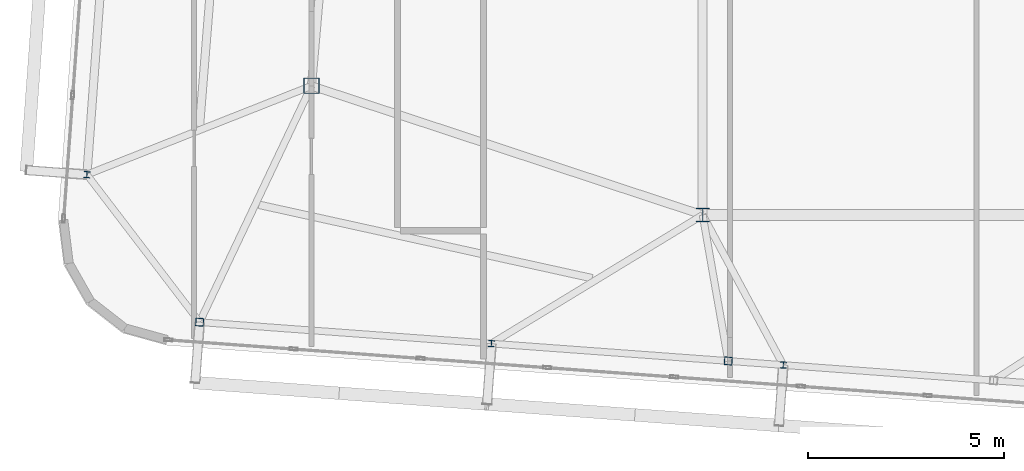
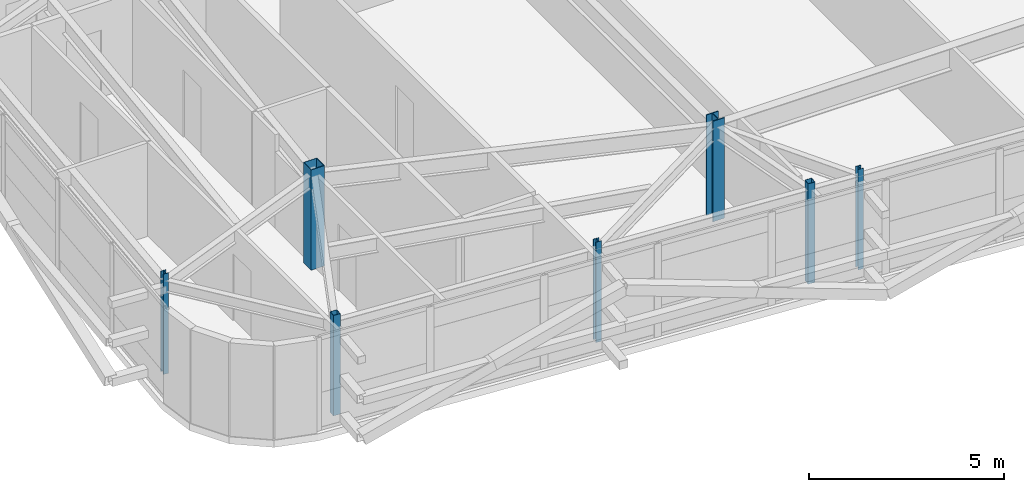
# One storey, part 1 of 42: 7 columns.
"""IFC4 building model written with IfcOpenShell, lengths in metres."""

from ifc_helpers import new_model, si_unit, direction, frame, origin, origin_2d, place, context, subcontext, project, spatial, hollow_rectangle, i_section, extrude, source, transform, mapped, material, material_profile, profile_set, type_object, element, save


model = new_model("IFC4")

# Units and contexts
model_context = context("Model", 3, precision=1e-05, world=origin(), true_north=direction((0.0, 1.0)))
body_context = subcontext(model_context, "Body", "Model", "MODEL_VIEW")
ifc_project = project(units=[si_unit("LENGTHUNIT", "METRE"), si_unit("AREAUNIT", "SQUARE_METRE"), si_unit("VOLUMEUNIT", "CUBIC_METRE"), si_unit("PLANEANGLEUNIT", "RADIAN"), si_unit("MASSUNIT", "GRAM", prefix="KILO")], contexts=[model_context])

# Site, building, storey
site_placement = place(None, origin())
site = spatial("IfcSite", under=ifc_project, at=site_placement, CompositionType="ELEMENT")
building_placement = place(site_placement, origin())
building = spatial("IfcBuilding", under=site, at=building_placement, Name="Taldren Reach Tower", CompositionType="ELEMENT")
storey_placement = place(building_placement, frame((0.0, 0.0, 224.0)))
storey = spatial("IfcBuildingStorey", under=building, at=storey_placement, Name="L68", CompositionType="ELEMENT", Elevation=224.0)

# Columns
ifc_material_1 = material(Name="Steel Gr 350 (350PLUS)", Category="steel")
ifc_material_profile_1 = material_profile(ifc_material_1, i_section(OverallWidth=0.35009765625, OverallDepth=0.35595703125, WebThickness=0.01806640625, FlangeThickness=0.028076171875, at=origin_2d()), Name="350WC197")
ifc_profile_set_1 = profile_set([ifc_material_profile_1], Name="Steel Gr 350 (350PLUS)")
column_type_1 = type_object("IfcColumnType", Name="COL-WC350", PredefinedType="COLUMN", material=ifc_profile_set_1)
shared_shape_1 = source(origin(), body_context, "Body", "SweptSolid", [
    extrude(i_section(OverallWidth=0.35009765625, OverallDepth=0.35595703125, WebThickness=0.01806640625, FlangeThickness=0.028076171875, at=origin_2d()), origin(), (0.0, 0.0, 1.0), 3.14990234375),
])
column_1_placement = place(storey_placement, frame((28.0, 9.199951171875, 0.0), z_axis=(0.0, 0.0, 1.0), x_axis=(1.0, 0.0, 0.0)))
element("IfcColumn", 1, at=column_1_placement, inside=storey, type_object=column_type_1, Name="Mega column MC-PJW L68", PredefinedType="COLUMN", context=body_context, shape_type="MappedRepresentation", body=[
    mapped(shared_shape_1, transform((0.0, 0.0, 0.0), scale=1.0)),
])
ifc_material_2 = material(Name="Steel Gr 450 (C450L0)", Category="steel")
ifc_material_profile_2 = material_profile(ifc_material_2, hollow_rectangle(XDim=0.39990234375, YDim=0.39990234375, WallThickness=0.01611328125, at=origin_2d()), Name="400x400x16.0SHS")
ifc_profile_set_2 = profile_set([ifc_material_profile_2], Name="Steel Gr 450 (C450L0)")
column_type_2 = type_object("IfcColumnType", Name="COL-SHS400", PredefinedType="COLUMN", material=ifc_profile_set_2)
shared_shape_2 = source(origin(), body_context, "Body", "SweptSolid", [
    extrude(hollow_rectangle(XDim=0.39990234375, YDim=0.39990234375, WallThickness=0.01611328125, at=origin_2d()), origin(), (0.0, 0.0, 1.0), 3.14990234375),
])
column_2_placement = place(storey_placement, frame((18.0, 12.5, 0.0), z_axis=(0.0, 0.0, 1.0), x_axis=(1.0, 0.0, 0.0)))
element("IfcColumn", 2, at=column_2_placement, inside=storey, type_object=column_type_2, Name="Mega column MC-SW L68", PredefinedType="COLUMN", context=body_context, shape_type="MappedRepresentation", body=[
    mapped(shared_shape_2, transform((0.0, 0.0, 0.0), scale=1.0)),
])
ifc_material_3 = material(Name="Steel Gr 350 (C350L0)", Category="steel")
ifc_material_profile_3 = material_profile(ifc_material_3, hollow_rectangle(XDim=0.199951171875, YDim=0.199951171875, WallThickness=0.009033203125, at=origin_2d()), Name="200x200x9.0SHS")
ifc_profile_set_3 = profile_set([ifc_material_profile_3], Name="Steel Gr 350 (C350L0)")
column_type_3 = type_object("IfcColumnType", Name="COL-SHS200", PredefinedType="COLUMN", material=ifc_profile_set_3)
shared_shape_3 = source(origin(), body_context, "Body", "SweptSolid", [
    extrude(hollow_rectangle(XDim=0.199951171875, YDim=0.199951171875, WallThickness=0.009033203125, at=origin_2d()), origin(), (0.0, 0.0, 1.0), 3.14990234375),
])
for number, where, z_axis, x_axis, name in (
    (3, (15.140625, 6.460205078125, 0.0), (0.0, 0.0, 1.0), (0.997314477224, -0.073238197128, 0.0), "Block B5 perimeter column S1 L68"),
    (4, (28.654296875, 5.4677734375, 0.0), (0.0, 0.0, 1.0), (0.997314477224, -0.073238197128, 0.0), "Block B5 perimeter column PJ1 L68"),
):
    element("IfcColumn", number, at=place(storey_placement, frame(where, z_axis=z_axis, x_axis=x_axis)), inside=storey, type_object=column_type_3, Name=name, PredefinedType="COLUMN", context=body_context, shape_type="MappedRepresentation", body=[
        mapped(shared_shape_3, transform((0.0, 0.0, 0.0), scale=1.0)),
    ])
ifc_material_profile_4 = material_profile(ifc_material_1, i_section(OverallWidth=0.154052734375, OverallDepth=0.162109375, WebThickness=0.008056640625, FlangeThickness=0.011474609375, at=origin_2d()), Name="150UC37.2")
ifc_profile_set_4 = profile_set([ifc_material_profile_4], Name="Steel Gr 350 (350PLUS)")
column_type_4 = type_object("IfcColumnType", Name="COL-UC150", PredefinedType="COLUMN", material=ifc_profile_set_4)
shared_shape_4 = source(origin(), body_context, "Body", "SweptSolid", [
    extrude(i_section(OverallWidth=0.154052734375, OverallDepth=0.162109375, WebThickness=0.008056640625, FlangeThickness=0.011474609375, at=origin_2d()), origin(), (0.0, 0.0, 1.0), 3.14990234375),
])
for number, where, z_axis, x_axis, name in (
    (5, (22.6005859375, 5.912353515625, 0.0), (0.0, 0.0, 1.0), (0.997314477224, -0.073238197128, 0.0), "Block B5 perimeter column S2 L68"),
    (6, (30.060546875, 5.364501953125, 0.0), (0.0, 0.0, 1.0), (0.997314477224, -0.073238197128, 0.0), "Block B5 perimeter column S3 L68"),
    (7, (12.259033203125, 10.2314453125, 0.0), (0.0, 0.0, 1.0), (0.997314477224, -0.073238197128, 0.0), "Block B5 perimeter column W1 L68"),
):
    element("IfcColumn", number, at=place(storey_placement, frame(where, z_axis=z_axis, x_axis=x_axis)), inside=storey, type_object=column_type_4, Name=name, PredefinedType="COLUMN", context=body_context, shape_type="MappedRepresentation", body=[
        mapped(shared_shape_4, transform((0.0, 0.0, 0.0), scale=1.0)),
    ])

save(model, "model.ifc")
